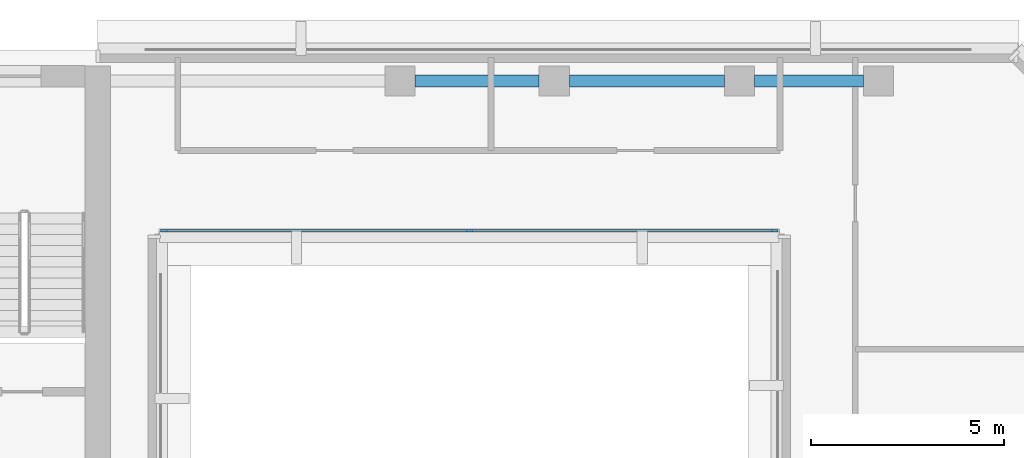
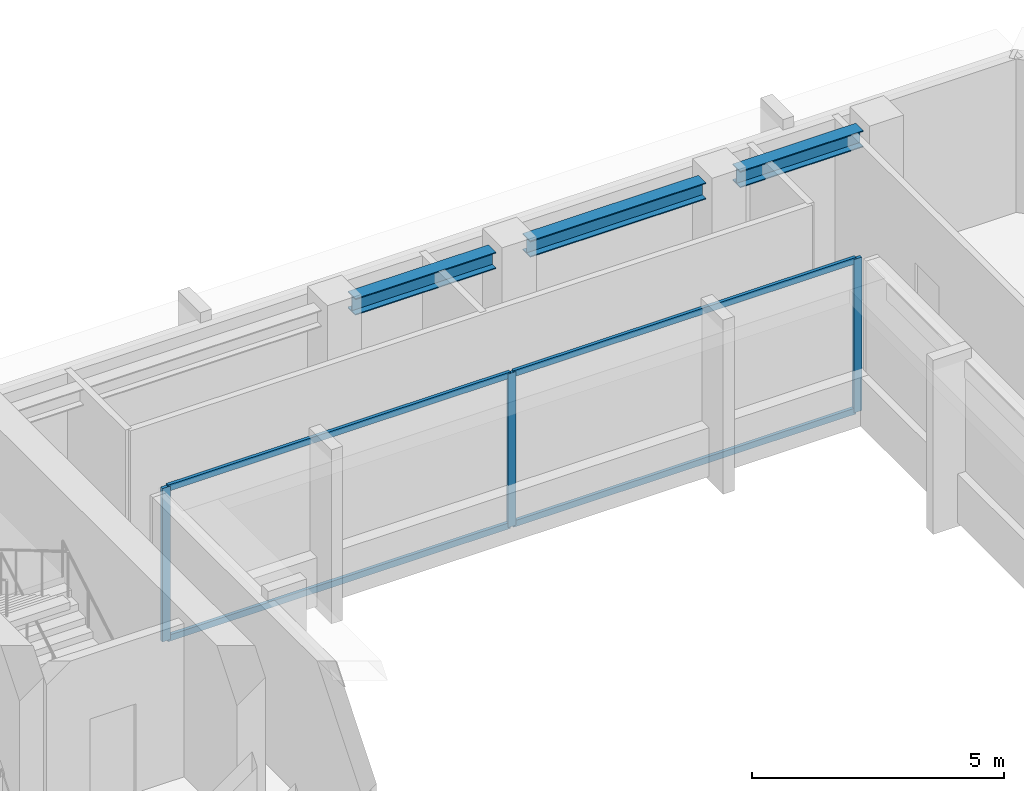
# One storey, part 4 of 11: 7 members, 3 beams, 1 element without a shape of its own.
"""IFC4 building model written with IfcOpenShell, lengths in metres."""

from ifc_helpers import new_model, si_unit, direction, frame, origin, origin_2d, place, context, subcontext, project, spatial, rectangle, i_section, extrude, material, layer, layer_set, material_profile, profile_set, type_object, element, aggregate, save


model = new_model("IFC4")

# Units and contexts
model_context = context("Model", 3, precision=1e-05, world=origin(), true_north=direction((0.0, 1.0)))
body_context = subcontext(model_context, "Body", "Model", "MODEL_VIEW")
ifc_project = project(units=[si_unit("LENGTHUNIT", "METRE"), si_unit("AREAUNIT", "SQUARE_METRE"), si_unit("VOLUMEUNIT", "CUBIC_METRE"), si_unit("PLANEANGLEUNIT", "RADIAN"), si_unit("MASSUNIT", "GRAM", prefix="KILO")], contexts=[model_context])

# Site, building, storey
site_placement = place(None, origin())
site = spatial("IfcSite", under=ifc_project, at=site_placement, CompositionType="ELEMENT")
building_placement = place(site_placement, origin())
building = spatial("IfcBuilding", under=site, at=building_placement, Name="Kefirva Bronze Tower", CompositionType="ELEMENT")
storey_placement = place(building_placement, frame((0.0, 0.0, 219.780029296875)))
storey = spatial("IfcBuildingStorey", under=building, at=storey_placement, Name="L53", CompositionType="ELEMENT", Elevation=219.780029296875)

# Curtain wall, members
ifc_material_1 = material(Name="Bronze anodised aluminium", Category="aluminium")
ifc_layer = layer(ifc_material_1, 0.179931640625, Name="Bronze anodised aluminium")
ifc_layer_set = layer_set([ifc_layer], Name="Bronze anodised aluminium")
curtain_wall_type = type_object("IfcCurtainWallType", Name="Unitised Bronze Ribbon Curtain Wall Zone 3", PredefinedType="USERDEFINED", material=ifc_layer_set)
curtain_wall_placement = place(storey_placement, origin())
curtain_wall = element("IfcCurtainWall", 1, at=curtain_wall_placement, inside=storey, type_object=curtain_wall_type, Name="L53 Curtain Wall 2", ObjectType="UNITISED CURTAIN WALL", PredefinedType="USERDEFINED")
ifc_material_profile_1 = material_profile(ifc_material_1, rectangle(XDim=0.074951171875, YDim=0.179931640625, at=origin_2d()), Name="ALU 75x180")
ifc_profile_set_1 = profile_set([ifc_material_profile_1], Name="Bronze anodised aluminium")
member_type_1 = type_object("IfcMemberType", Name="Bronze Mullion 75x180", PredefinedType="MULLION", material=ifc_profile_set_1)
member_1_placement = place(storey_placement, frame((25.092529296875, 41.320068359375, 0.0), z_axis=(0.0, 0.0, 1.0), x_axis=(0.0, 1.0, 0.0)))
member_1 = element("IfcMember", 2, at=member_1_placement, type_object=member_type_1, Name="CW-03 mullion 1", PredefinedType="MULLION", context=body_context, shape_type="SweptSolid", body=[
    extrude(rectangle(XDim=0.074951171875, YDim=0.179931640625, at=origin_2d()), origin(), (0.0, 0.0, 1.0), 3.7099609375),
])
member_2_placement = place(storey_placement, frame((33.0, 41.320068359375, 0.0), z_axis=(0.0, 0.0, 1.0), x_axis=(0.0, 1.0, 0.0)))
member_2 = element("IfcMember", 3, at=member_2_placement, type_object=member_type_1, Name="CW-03 mullion 2", PredefinedType="MULLION", context=body_context, shape_type="SweptSolid", body=[
    extrude(rectangle(XDim=0.074951171875, YDim=0.179931640625, at=origin_2d()), origin(), (0.0, 0.0, 1.0), 3.7099609375),
])
member_3_placement = place(storey_placement, frame((40.907470703125, 41.320068359375, 0.0), z_axis=(0.0, 0.0, 1.0), x_axis=(0.0, 1.0, 0.0)))
member_3 = element("IfcMember", 4, at=member_3_placement, type_object=member_type_1, Name="CW-03 mullion 3", PredefinedType="MULLION", context=body_context, shape_type="SweptSolid", body=[
    extrude(rectangle(XDim=0.074951171875, YDim=0.179931640625, at=origin_2d()), origin(), (0.0, 0.0, 1.0), 3.7099609375),
])
ifc_material_profile_2 = material_profile(ifc_material_1, rectangle(XDim=0.074951171875, YDim=0.14990234375, at=origin_2d()), Name="ALU 75x150")
ifc_profile_set_2 = profile_set([ifc_material_profile_2], Name="Bronze anodised aluminium")
member_type_2 = type_object("IfcMemberType", Name="Bronze Transom 75x150", PredefinedType="USERDEFINED", material=ifc_profile_set_2)
member_4_placement = place(storey_placement, frame((25.1298828125, 41.320068359375, 0.037353515625), z_axis=(1.0, 0.0, 0.0), x_axis=(0.0, 1.0, 0.0)))
member_4 = element("IfcMember", 5, at=member_4_placement, type_object=member_type_2, Name="CW-03 transom 1.1", ObjectType="TRANSOM", PredefinedType="USERDEFINED", context=body_context, shape_type="SweptSolid", body=[
    extrude(rectangle(XDim=0.074951171875, YDim=0.14990234375, at=origin_2d()), origin(), (0.0, 0.0, 1.0), 7.83251953125),
])
member_5_placement = place(storey_placement, frame((25.1298828125, 41.320068359375, 3.67236328125), z_axis=(1.0, 0.0, 0.0), x_axis=(0.0, 1.0, 0.0)))
member_5 = element("IfcMember", 6, at=member_5_placement, type_object=member_type_2, Name="CW-03 transom 1.2", ObjectType="TRANSOM", PredefinedType="USERDEFINED", context=body_context, shape_type="SweptSolid", body=[
    extrude(rectangle(XDim=0.074951171875, YDim=0.14990234375, at=origin_2d()), origin(), (0.0, 0.0, 1.0), 7.83251953125),
])
member_6_placement = place(storey_placement, frame((33.03759765625, 41.320068359375, 0.037353515625), z_axis=(1.0, 0.0, 0.0), x_axis=(0.0, 1.0, 0.0)))
member_6 = element("IfcMember", 7, at=member_6_placement, type_object=member_type_2, Name="CW-03 transom 2.1", ObjectType="TRANSOM", PredefinedType="USERDEFINED", context=body_context, shape_type="SweptSolid", body=[
    extrude(rectangle(XDim=0.074951171875, YDim=0.14990234375, at=origin_2d()), origin(), (0.0, 0.0, 1.0), 7.83251953125),
])
member_7_placement = place(storey_placement, frame((33.03759765625, 41.320068359375, 3.67236328125), z_axis=(1.0, 0.0, 0.0), x_axis=(0.0, 1.0, 0.0)))
member_7 = element("IfcMember", 8, at=member_7_placement, type_object=member_type_2, Name="CW-03 transom 2.2", ObjectType="TRANSOM", PredefinedType="USERDEFINED", context=body_context, shape_type="SweptSolid", body=[
    extrude(rectangle(XDim=0.074951171875, YDim=0.14990234375, at=origin_2d()), origin(), (0.0, 0.0, 1.0), 7.83251953125),
])
aggregate(curtain_wall, [member_1, member_2, member_3, member_4, member_5, member_6, member_7])

# Beams
ifc_material_2 = material(Name="Steel S355", Category="steel")
ifc_material_profile_3 = material_profile(ifc_material_2, i_section(OverallWidth=0.300048828125, OverallDepth=0.39990234375, WebThickness=0.013427734375, FlangeThickness=0.02392578125, at=origin_2d()), Name="HEB 400")
ifc_profile_set_3 = profile_set([ifc_material_profile_3], Name="Steel S355")
beam_type = type_object("IfcBeamType", Name="Steel Spandrel HEB 400 Ext", PredefinedType="SPANDREL", material=ifc_profile_set_3)
beam_1_placement = place(storey_placement, frame((31.590087890625, 45.199951171875, 3.510009765625), z_axis=(1.0, 0.0, 0.0), x_axis=(0.0, 1.0, 0.0)))
element("IfcBeam", 9, at=beam_1_placement, inside=storey, type_object=beam_type, Name="L53 BM-L53-EW-31-452", PredefinedType="SPANDREL", context=body_context, shape_type="SweptSolid", body=[
    extrude(i_section(OverallWidth=0.300048828125, OverallDepth=0.39990234375, WebThickness=0.013427734375, FlangeThickness=0.02392578125, at=origin_2d()), origin(), (0.0, 0.0, 1.0), 3.219970703125),
])
beam_2_placement = place(storey_placement, frame((35.590087890625, 45.199951171875, 3.510009765625), z_axis=(1.0, 0.0, 0.0), x_axis=(0.0, 1.0, 0.0)))
element("IfcBeam", 10, at=beam_2_placement, inside=storey, type_object=beam_type, Name="L53 BM-L53-EW-35-452", PredefinedType="SPANDREL", context=body_context, shape_type="SweptSolid", body=[
    extrude(i_section(OverallWidth=0.300048828125, OverallDepth=0.39990234375, WebThickness=0.013427734375, FlangeThickness=0.02392578125, at=origin_2d()), origin(), (0.0, 0.0, 1.0), 4.02001953125),
])
beam_3_placement = place(storey_placement, frame((40.389892578125, 45.199951171875, 3.510009765625), z_axis=(1.0, 0.0, 0.0), x_axis=(0.0, 1.0, 0.0)))
element("IfcBeam", 11, at=beam_3_placement, inside=storey, type_object=beam_type, Name="L53 BM-L53-EW-40-452", PredefinedType="SPANDREL", context=body_context, shape_type="SweptSolid", body=[
    extrude(i_section(OverallWidth=0.300048828125, OverallDepth=0.39990234375, WebThickness=0.013427734375, FlangeThickness=0.02392578125, at=origin_2d()), origin(), (0.0, 0.0, 1.0), 2.820068359375),
])

save(model, "model.ifc")
